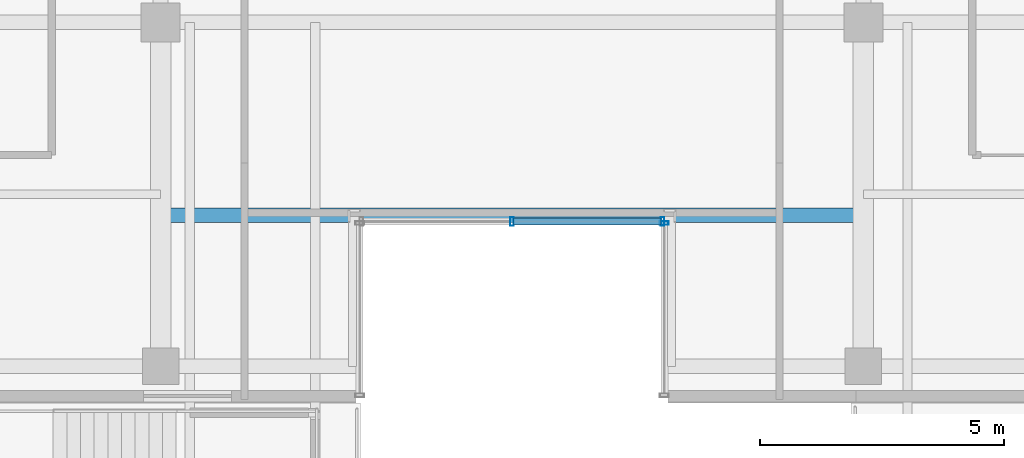
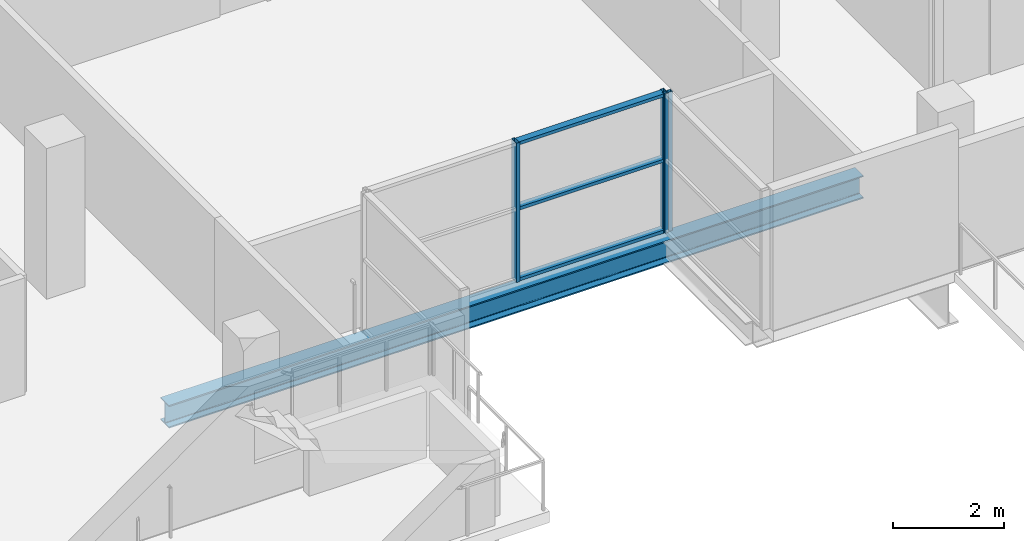
# One storey, part 3 of 23: 6 members, 1 beam, 2 elements without a shape of their own.
"""IFC4 building model written with IfcOpenShell, lengths in metres."""

from ifc_helpers import new_model, si_unit, direction, frame, origin, origin_2d, place, context, subcontext, project, spatial, hollow_rectangle, i_section, extrude, source, transform, mapped, material, layer, layer_set, material_profile, profile_set, type_object, element, aggregate, save


model = new_model("IFC4")

# Units and contexts
model_context = context("Model", 3, precision=1e-05, world=origin(), true_north=direction((0.0, 1.0)))
body_context = subcontext(model_context, "Body", "Model", "MODEL_VIEW")
ifc_project = project(units=[si_unit("LENGTHUNIT", "METRE"), si_unit("AREAUNIT", "SQUARE_METRE"), si_unit("VOLUMEUNIT", "CUBIC_METRE"), si_unit("PLANEANGLEUNIT", "RADIAN"), si_unit("MASSUNIT", "GRAM", prefix="KILO")], contexts=[model_context])

# Site, building, storey
site_placement = place(None, origin())
site = spatial("IfcSite", under=ifc_project, at=site_placement, CompositionType="ELEMENT")
building_placement = place(site_placement, origin())
building = spatial("IfcBuilding", under=site, at=building_placement, Name="Zarnakvel Exchange Tower", CompositionType="ELEMENT")
storey_placement = place(building_placement, frame((0.0, 0.0, 146.199951171875)))
storey = spatial("IfcBuildingStorey", under=building, at=storey_placement, Name="L40", CompositionType="ELEMENT", Elevation=146.199951171875)

# Beam
ifc_material_1 = material(Name="Steel S355", Category="steel")
ifc_material_profile_1 = material_profile(ifc_material_1, i_section(OverallWidth=0.300048828125, OverallDepth=0.5, WebThickness=0.014404296875, FlangeThickness=0.028076171875, FilletRadius=0.027099609375, at=origin_2d()))
ifc_profile_set_1 = profile_set([ifc_material_profile_1], Name="Steel S355")
beam_type = type_object("IfcBeamType", Name="SP-02", PredefinedType="SPANDREL", material=ifc_profile_set_1)
beam_placement = place(storey_placement, frame((-7.199951171875, -13.550048828125, -0.474853515625), z_axis=(1.0, 0.0, 0.0), x_axis=(0.0, 1.0, 0.0)))
element("IfcBeam", 1, at=beam_placement, inside=storey, type_object=beam_type, Name="L40 South Slot Head Trimmer Girder", PredefinedType="SPANDREL", context=body_context, shape_type="SweptSolid", body=[
    extrude(i_section(OverallWidth=0.300048828125, OverallDepth=0.5, WebThickness=0.014404296875, FlangeThickness=0.028076171875, FilletRadius=0.027099609375, at=origin_2d()), origin(), (0.0, 0.0, 1.0), 14.39990234375),
])

# Curtain wall, members
ifc_material_2 = material(Name="Architectural Bronze Anodised Aluminium", Category="aluminium")
ifc_layer = layer(ifc_material_2, 0.179931640625)
ifc_layer_set = layer_set([ifc_layer], Name="Architectural Bronze Anodised Aluminium")
curtain_wall_type = type_object("IfcCurtainWallType", Name="CW-05", PredefinedType="NOTDEFINED", material=ifc_layer_set)
curtain_wall_1_placement = place(storey_placement, origin())
curtain_wall_1 = element("IfcCurtainWall", 2, at=curtain_wall_1_placement, inside=storey, type_object=curtain_wall_type, Name="L40 Curtain Wall CW-L40-SLB (CW-05)", PredefinedType="NOTDEFINED")
ifc_material_profile_2 = material_profile(ifc_material_2, hollow_rectangle(XDim=0.139892578125, YDim=0.070068359375, WallThickness=0.00390625, at=origin_2d()))
ifc_profile_set_2 = profile_set([ifc_material_profile_2], Name="Architectural Bronze Anodised Aluminium")
member_type_1 = type_object("IfcMemberType", Name="CWT-05", PredefinedType="USERDEFINED", material=ifc_profile_set_2)
shared_shape_1 = source(origin(), body_context, "Body", "SweptSolid", [
    extrude(hollow_rectangle(XDim=0.139892578125, YDim=0.070068359375, WallThickness=0.00390625, at=origin_2d()), origin(), (0.0, 0.0, 1.0), 3.01513671875),
])
member_1_placement = place(storey_placement, frame((0.034912109375, -13.679931640625, 0.03515625), z_axis=(1.0, 0.0, 0.0), x_axis=(0.0, 1.0, 0.0)))
member_1 = element("IfcMember", 3, at=member_1_placement, type_object=member_type_1, Name="CW-05 transom 2.1", ObjectType="TRANSOM", PredefinedType="USERDEFINED", context=body_context, shape_type="MappedRepresentation", body=[
    mapped(shared_shape_1, transform((0.0, 0.0, 0.0), x_axis=(1.0, 0.0, 0.0), y_axis=(0.0, 1.0, 0.0), z_axis=(0.0, 0.0, 1.0), scale=1.0)),
])
member_2_placement = place(storey_placement, frame((0.034912109375, -13.679931640625, 1.588623046875), z_axis=(1.0, 0.0, 0.0), x_axis=(0.0, 1.0, 0.0)))
member_2 = element("IfcMember", 4, at=member_2_placement, type_object=member_type_1, Name="CW-05 transom 2.2", ObjectType="TRANSOM", PredefinedType="USERDEFINED", context=body_context, shape_type="MappedRepresentation", body=[
    mapped(shared_shape_1, transform((0.0, 0.0, 0.0), x_axis=(1.0, 0.0, 0.0), y_axis=(0.0, 1.0, 0.0), z_axis=(0.0, 0.0, 1.0), scale=1.0)),
])
member_3_placement = place(storey_placement, frame((0.034912109375, -13.679931640625, 3.02001953125), z_axis=(1.0, 0.0, 0.0), x_axis=(0.0, 1.0, 0.0)))
member_3 = element("IfcMember", 5, at=member_3_placement, type_object=member_type_1, Name="CW-05 transom 2.3", ObjectType="TRANSOM", PredefinedType="USERDEFINED", context=body_context, shape_type="MappedRepresentation", body=[
    mapped(shared_shape_1, transform((0.0, 0.0, 0.0), x_axis=(1.0, 0.0, 0.0), y_axis=(0.0, 1.0, 0.0), z_axis=(0.0, 0.0, 1.0), scale=1.0)),
])
ifc_material_profile_3 = material_profile(ifc_material_2, hollow_rectangle(XDim=0.179931640625, YDim=0.070068359375, WallThickness=0.00390625, at=origin_2d()))
ifc_profile_set_3 = profile_set([ifc_material_profile_3], Name="Architectural Bronze Anodised Aluminium")
member_type_2 = type_object("IfcMemberType", Name="CWM-05", PredefinedType="MULLION", material=ifc_profile_set_3)
shared_shape_2 = source(origin(), body_context, "Body", "SweptSolid", [
    extrude(hollow_rectangle(XDim=0.179931640625, YDim=0.070068359375, WallThickness=0.00390625, at=origin_2d()), origin(), (0.0, 0.0, 1.0), 3.054931640625),
])
member_4_placement = place(storey_placement, frame((0.0, -13.679931640625, 0.0), z_axis=(0.0, 0.0, 1.0), x_axis=(0.0, 1.0, 0.0)))
member_4 = element("IfcMember", 6, at=member_4_placement, type_object=member_type_2, Name="CW-05 mullion 2", PredefinedType="MULLION", context=body_context, shape_type="MappedRepresentation", body=[
    mapped(shared_shape_2, transform((0.0, 0.0, 0.0), x_axis=(1.0, 0.0, 0.0), y_axis=(0.0, 1.0, 0.0), z_axis=(0.0, 0.0, 1.0), scale=1.0)),
])
member_5_placement = place(storey_placement, frame((3.0849609375, -13.679931640625, 0.0), z_axis=(0.0, 0.0, 1.0), x_axis=(0.0, 1.0, 0.0)))
member_5 = element("IfcMember", 7, at=member_5_placement, type_object=member_type_2, Name="CW-05 mullion 3", PredefinedType="MULLION", context=body_context, shape_type="MappedRepresentation", body=[
    mapped(shared_shape_2, transform((0.0, 0.0, 0.0), x_axis=(1.0, 0.0, 0.0), y_axis=(0.0, 1.0, 0.0), z_axis=(0.0, 0.0, 1.0), scale=1.0)),
])
aggregate(curtain_wall_1, [member_4, member_5, member_1, member_2, member_3])

# Curtain wall, member
curtain_wall_2_placement = place(storey_placement, origin())
curtain_wall_2 = element("IfcCurtainWall", 8, at=curtain_wall_2_placement, inside=storey, type_object=curtain_wall_type, Name="L40 Curtain Wall CW-L40-SLE (CW-05)", PredefinedType="NOTDEFINED")
member_6_placement = place(storey_placement, frame((3.1201171875, -13.715087890625, 0.0), z_axis=(0.0, 0.0, 1.0), x_axis=(1.0, 0.0, 0.0)))
member_6 = element("IfcMember", 9, at=member_6_placement, type_object=member_type_2, Name="CW-05 mullion 1", PredefinedType="MULLION", context=body_context, shape_type="MappedRepresentation", body=[
    mapped(shared_shape_2, transform((0.0, 0.0, 0.0), x_axis=(1.0, 0.0, 0.0), y_axis=(0.0, 1.0, 0.0), z_axis=(0.0, 0.0, 1.0), scale=1.0)),
])
aggregate(curtain_wall_2, [member_6])

save(model, "model.ifc")
